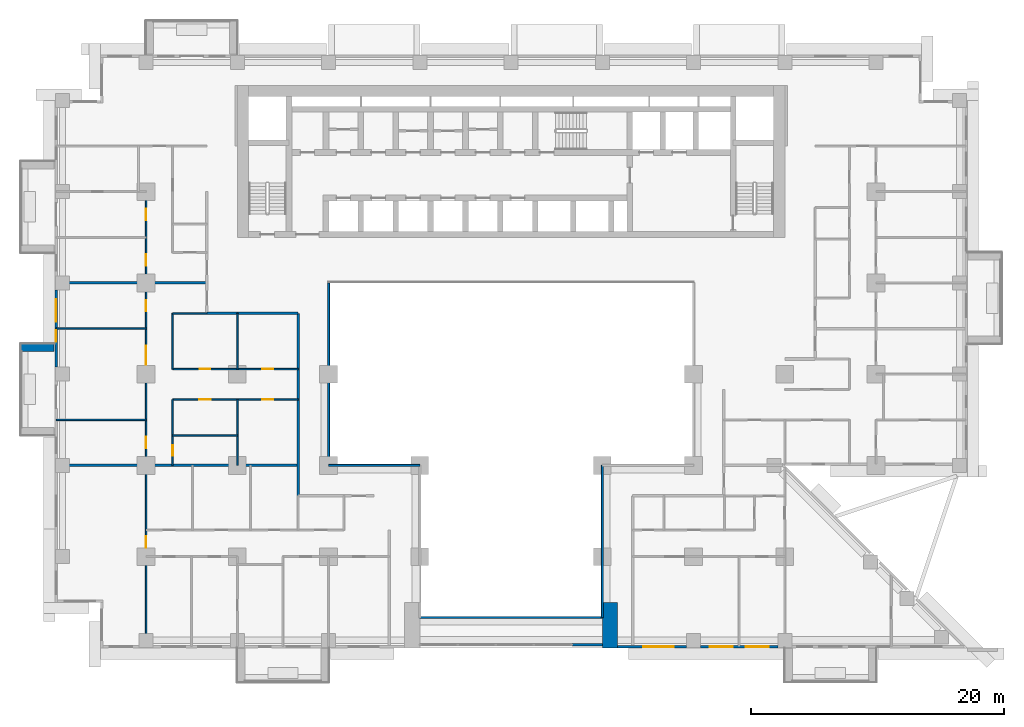
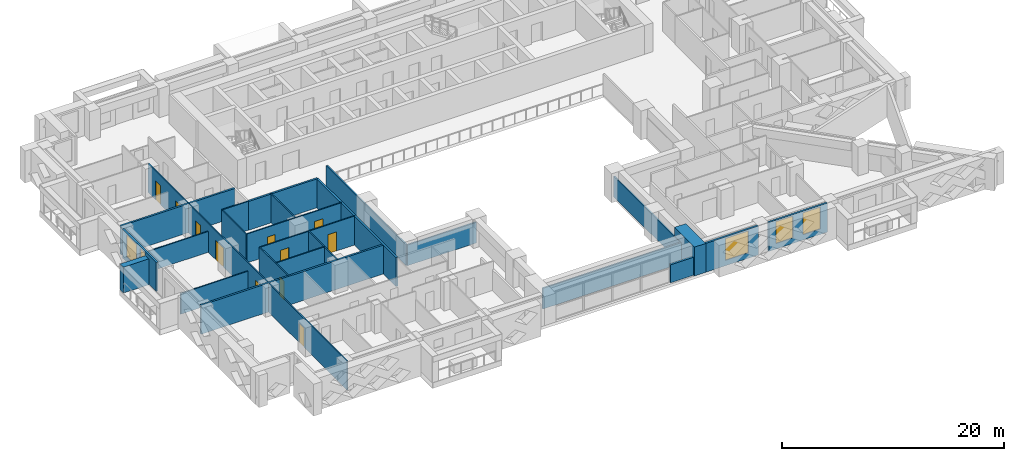
# One storey, part 7 of 17: 25 walls, 11 doors, 5 windows, 16 openings.
"""IFC4 building model written with IfcOpenShell, lengths in metres."""

from ifc_helpers import new_model, si_unit, direction, frame, frame_2d, origin, place, context, subcontext, project, spatial, rectangle, extrude, material, layer, layer_set, type_object, element, fill, save


model = new_model("IFC4")

# Units and contexts
model_context = context("Model", 3, precision=1e-05, world=origin(), true_north=direction((0.0, 1.0)))
body_context = subcontext(model_context, "Body", "Model", "MODEL_VIEW")
ifc_project = project(units=[si_unit("LENGTHUNIT", "METRE"), si_unit("AREAUNIT", "SQUARE_METRE"), si_unit("VOLUMEUNIT", "CUBIC_METRE"), si_unit("PLANEANGLEUNIT", "RADIAN"), si_unit("MASSUNIT", "GRAM", prefix="KILO")], contexts=[model_context])

# Site, building, storey
site_placement = place(None, origin())
site = spatial("IfcSite", under=ifc_project, at=site_placement, CompositionType="ELEMENT")
building_placement = place(site_placement, origin())
building = spatial("IfcBuilding", under=site, at=building_placement, Name="Saffron Iwan Residences", CompositionType="ELEMENT")
storey_placement = place(building_placement, frame((0.0, 0.0, 34.0)))
storey = spatial("IfcBuildingStorey", under=building, at=storey_placement, Name="L07", CompositionType="ELEMENT", Elevation=34.0)

# Walls
ifc_material_1 = material(Name="Fire-rated glazing", Category="glass")
ifc_layer_1 = layer(ifc_material_1, 0.14990234375)
ifc_layer_set_1 = layer_set([ifc_layer_1], Name="Fire-rated glazing")
wall_type_1 = type_object("IfcWallType", Name="Atrium glazed screen 150", PredefinedType="SOLIDWALL", material=ifc_layer_set_1)
wall_1_placement = place(storey_placement, frame((43.199951171875, 36.0, 0.0), z_axis=(0.0, 0.0, 1.0), x_axis=(1.0, 0.0, 0.0)))
element("IfcWall", 1, at=wall_1_placement, inside=storey, type_object=wall_type_1, Name="W-L07-SCREEN-h36-43.2", PredefinedType="SOLIDWALL", context=body_context, shape_type="SweptSolid", body=[
    extrude(rectangle(XDim=14.400146484375, YDim=0.14990234375, at=frame_2d((7.2001953125, 0.0))), origin(), (0.0, 0.0, 1.0), 2.280029296875),
])
wall_2_placement = place(storey_placement, frame((36.0, 48.0, 0.0), z_axis=(0.0, 0.0, 1.0), x_axis=(1.0, 0.0, 0.0)))
element("IfcWall", 2, at=wall_2_placement, inside=storey, type_object=wall_type_1, Name="W-L07-SCREEN-h48-36", PredefinedType="SOLIDWALL", context=body_context, shape_type="SweptSolid", body=[
    extrude(rectangle(XDim=7.199951171875, YDim=0.14990234375, at=frame_2d((3.60009765625, 0.0))), origin(), (0.0, 0.0, 1.0), 2.280029296875),
])
wall_3_placement = place(storey_placement, frame((36.0, 48.0, 0.0), z_axis=(0.0, 0.0, 1.0), x_axis=(0.0, 1.0, 0.0)))
element("IfcWall", 3, at=wall_3_placement, inside=storey, type_object=wall_type_1, Name="W-L07-SCREEN-v36-48", PredefinedType="SOLIDWALL", context=body_context, shape_type="SweptSolid", body=[
    extrude(rectangle(XDim=14.39990234375, YDim=0.14990234375, at=frame_2d((7.199951171875, 0.0))), origin(), (0.0, 0.0, 1.0), 2.280029296875),
])
wall_4_placement = place(storey_placement, frame((57.60009765625, 36.0, 0.0), z_axis=(0.0, 0.0, 1.0), x_axis=(0.0, 1.0, 0.0)))
element("IfcWall", 4, at=wall_4_placement, inside=storey, type_object=wall_type_1, Name="W-L07-SCREEN-v57.6-36", PredefinedType="SOLIDWALL", context=body_context, shape_type="SweptSolid", body=[
    extrude(rectangle(XDim=12.0, YDim=0.14990234375, at=frame_2d((6.0, 0.0))), origin(), (0.0, 0.0, 1.0), 2.280029296875),
])
ifc_material_2 = material(Name="Concrete C50/60 white painted", Category="concrete")
ifc_layer_2 = layer(ifc_material_2, 0.60009765625)
ifc_layer_set_2 = layer_set([ifc_layer_2], Name="Concrete C50/60 white painted")
wall_type_2 = type_object("IfcWallType", Name="BALCONY FIN 600", PredefinedType="SOLIDWALL", material=ifc_layer_set_2)
wall_5_placement = place(storey_placement, frame((14.35009765625, 57.300048828125, 0.0), z_axis=(0.0, 0.0, 1.0), x_axis=(-1.0, 0.0, 0.0)))
element("IfcWall", 5, at=wall_5_placement, inside=storey, type_object=wall_type_2, Name="Balcony fin L07 F8-1a", PredefinedType="SOLIDWALL", context=body_context, shape_type="SweptSolid", body=[
    extrude(rectangle(XDim=2.650146484375, YDim=0.60009765625, at=frame_2d((1.3251953125, 0.0))), origin(), (0.0, 0.0, 1.0), 2.85009765625),
])

# Wall, openings, windows
ifc_material_3 = material(Name="Concrete C40/50", Category="concrete")
ifc_layer_3 = layer(ifc_material_3, 0.199951171875)
ifc_layer_set_3 = layer_set([ifc_layer_3], Name="Concrete C40/50")
wall_type_3 = type_object("IfcWallType", Name="EXTERNAL WALL 200", PredefinedType="SOLIDWALL", material=ifc_layer_set_3)
wall_6_placement = place(storey_placement, frame((14.5, 61.85009765625, 0.0), z_axis=(0.0, 0.0, 1.0), x_axis=(0.0, -1.0, 0.0)))
wall_6 = element("IfcWall", 6, at=wall_6_placement, inside=storey, type_object=wall_type_3, Name="External wall L07 F8.2", PredefinedType="SOLIDWALL", context=body_context, shape_type="SweptSolid", body=[
    extrude(rectangle(XDim=6.10009765625, YDim=0.199951171875, at=frame_2d((3.050048828125, 0.0))), origin(), (0.0, 0.0, 1.0), 3.179931640625),
])
opening_1_placement = place(wall_6_placement, frame((3.199951171875, 0.0, 0.60009765625)))
opening_1 = element("IfcOpeningElement", 7, at=opening_1_placement, cuts=wall_6, Name="Opening W10", PredefinedType="OPENING", context=body_context, shape_type="SweptSolid", body=[
    extrude(rectangle(XDim=0.89990234375, YDim=2.39990234375, at=frame_2d((0.449951171875, 1.199951171875))), frame((0.0, 0.10986328125, 0.0), z_axis=(0.0, -1.0, 0.0), x_axis=(1.0, 0.0, 0.0)), (0.0, 0.0, 1.0), 0.219970703125),
])
opening_2_placement = place(wall_6_placement, frame((0.72509765625, 0.0, 0.60009765625)))
opening_2 = element("IfcOpeningElement", 8, at=opening_2_placement, cuts=wall_6, Name="Opening W8", PredefinedType="OPENING", context=body_context, shape_type="SweptSolid", body=[
    extrude(rectangle(XDim=1.800048828125, YDim=2.39990234375, at=frame_2d((0.89990234375, 1.199951171875))), frame((0.0, 0.10986328125, 0.0), z_axis=(0.0, -1.0, 0.0), x_axis=(1.0, 0.0, 0.0)), (0.0, 0.0, 1.0), 0.219970703125),
])
ifc_material_4 = material(Name="Clear glass, laminated double glazed", Category="glass")
window_type_1 = type_object("IfcWindowType", Name="WINDOW 1800 x 2400", PartitioningType="DOUBLE_PANEL_VERTICAL", PredefinedType="WINDOW", material=ifc_material_4)
window_1_placement = place(opening_2_placement, origin())
window_1 = element("IfcWindow", 9, at=window_1_placement, inside=storey, type_object=window_type_1, Name="Window L07 F8.1", OverallHeight=2.39990234375, OverallWidth=1.800048828125, PartitioningType="DOUBLE_PANEL_VERTICAL", PredefinedType="WINDOW", context=body_context, shape_type="SweptSolid", body=[
    extrude(rectangle(XDim=1.800048828125, YDim=2.39990234375, at=frame_2d((0.89990234375, 1.199951171875))), frame((0.0, 0.030029296875, 0.0), z_axis=(0.0, -1.0, 0.0), x_axis=(1.0, 0.0, 0.0)), (0.0, 0.0, 1.0), 0.06005859375),
])
fill(opening_2, window_1)
window_type_2 = type_object("IfcWindowType", Name="WINDOW 900 x 2400", PartitioningType="SINGLE_PANEL", PredefinedType="WINDOW", material=ifc_material_4)
window_2_placement = place(opening_1_placement, origin())
window_2 = element("IfcWindow", 10, at=window_2_placement, inside=storey, type_object=window_type_2, Name="Window L07 F8.0", OverallHeight=2.39990234375, OverallWidth=0.89990234375, PartitioningType="SINGLE_PANEL", PredefinedType="WINDOW", context=body_context, shape_type="SweptSolid", body=[
    extrude(rectangle(XDim=0.89990234375, YDim=2.39990234375, at=frame_2d((0.449951171875, 1.199951171875))), frame((0.0, 0.030029296875, 0.0), z_axis=(0.0, -1.0, 0.0), x_axis=(1.0, 0.0, 0.0)), (0.0, 0.0, 1.0), 0.06005859375),
])
fill(opening_1, window_2)

# Wall, opening, window
wall_7_placement = place(storey_placement, frame((58.800048828125, 33.699951171875, 0.0), z_axis=(0.0, 0.0, 1.0), x_axis=(1.0, 0.0, 0.0)))
wall_7 = element("IfcWall", 11, at=wall_7_placement, inside=storey, type_object=wall_type_3, Name="External wall L07 F11.4", PredefinedType="SOLIDWALL", context=body_context, shape_type="SweptSolid", body=[
    extrude(rectangle(XDim=5.449951171875, YDim=0.199951171875, at=frame_2d((2.72509765625, 0.0))), origin(), (0.0, 0.0, 1.0), 3.179931640625),
])
opening_3_placement = place(wall_7_placement, frame((2.02490234375, 0.0, 0.60009765625)))
opening_3 = element("IfcOpeningElement", 12, at=opening_3_placement, cuts=wall_7, Name="Opening W1", PredefinedType="OPENING", context=body_context, shape_type="SweptSolid", body=[
    extrude(rectangle(XDim=2.39990234375, YDim=2.39990234375, at=frame_2d((1.199951171875, 1.199951171875))), frame((0.0, 0.10986328125, 0.0), z_axis=(0.0, -1.0, 0.0), x_axis=(1.0, 0.0, 0.0)), (0.0, 0.0, 1.0), 0.219970703125),
])
window_type_3 = type_object("IfcWindowType", Name="WINDOW 2400 x 2400", PartitioningType="DOUBLE_PANEL_VERTICAL", PredefinedType="WINDOW", material=ifc_material_4)
window_3_placement = place(opening_3_placement, origin())
window_3 = element("IfcWindow", 13, at=window_3_placement, inside=storey, type_object=window_type_3, Name="Window L07 F11.0", OverallHeight=2.39990234375, OverallWidth=2.39990234375, PartitioningType="DOUBLE_PANEL_VERTICAL", PredefinedType="WINDOW", context=body_context, shape_type="SweptSolid", body=[
    extrude(rectangle(XDim=2.39990234375, YDim=2.39990234375, at=frame_2d((1.199951171875, 1.199951171875))), frame((0.0, 0.030029296875, 0.0), z_axis=(0.0, -1.0, 0.0), x_axis=(1.0, 0.0, 0.0)), (0.0, 0.0, 1.0), 0.06005859375),
])
fill(opening_3, window_3)

# Wall, openings, windows
wall_8_placement = place(storey_placement, frame((65.35009765625, 33.699951171875, 0.0), z_axis=(0.0, 0.0, 1.0), x_axis=(1.0, 0.0, 0.0)))
wall_8 = element("IfcWall", 14, at=wall_8_placement, inside=storey, type_object=wall_type_3, Name="External wall L07 F11.5", PredefinedType="SOLIDWALL", context=body_context, shape_type="SweptSolid", body=[
    extrude(rectangle(XDim=6.099853515625, YDim=0.199951171875, at=frame_2d((3.0498046875, 0.0))), origin(), (0.0, 0.0, 1.0), 3.179931640625),
])
opening_4_placement = place(wall_8_placement, frame((3.574951171875, 0.0, 0.60009765625)))
opening_4 = element("IfcOpeningElement", 15, at=opening_4_placement, cuts=wall_8, Name="Opening W8", PredefinedType="OPENING", context=body_context, shape_type="SweptSolid", body=[
    extrude(rectangle(XDim=1.800048828125, YDim=2.39990234375, at=frame_2d((0.89990234375, 1.199951171875))), frame((0.0, 0.10986328125, 0.0), z_axis=(0.0, -1.0, 0.0), x_axis=(1.0, 0.0, 0.0)), (0.0, 0.0, 1.0), 0.219970703125),
])
opening_5_placement = place(wall_8_placement, frame((0.72509765625, 0.0, 0.60009765625)))
opening_5 = element("IfcOpeningElement", 16, at=opening_5_placement, cuts=wall_8, Name="Opening W8", PredefinedType="OPENING", context=body_context, shape_type="SweptSolid", body=[
    extrude(rectangle(XDim=1.800048828125, YDim=2.39990234375, at=frame_2d((0.89990234375, 1.199951171875))), frame((0.0, 0.10986328125, 0.0), z_axis=(0.0, -1.0, 0.0), x_axis=(1.0, 0.0, 0.0)), (0.0, 0.0, 1.0), 0.219970703125),
])
window_4_placement = place(opening_4_placement, origin())
window_4 = element("IfcWindow", 17, at=window_4_placement, inside=storey, type_object=window_type_1, Name="Window L07 F11.0", OverallHeight=2.39990234375, OverallWidth=1.800048828125, PartitioningType="DOUBLE_PANEL_VERTICAL", PredefinedType="WINDOW", context=body_context, shape_type="SweptSolid", body=[
    extrude(rectangle(XDim=1.800048828125, YDim=2.39990234375, at=frame_2d((0.89990234375, 1.199951171875))), frame((0.0, 0.030029296875, 0.0), z_axis=(0.0, -1.0, 0.0), x_axis=(1.0, 0.0, 0.0)), (0.0, 0.0, 1.0), 0.06005859375),
])
fill(opening_4, window_4)
window_5_placement = place(opening_5_placement, origin())
window_5 = element("IfcWindow", 18, at=window_5_placement, inside=storey, type_object=window_type_1, Name="Window L07 F11.1", OverallHeight=2.39990234375, OverallWidth=1.800048828125, PartitioningType="DOUBLE_PANEL_VERTICAL", PredefinedType="WINDOW", context=body_context, shape_type="SweptSolid", body=[
    extrude(rectangle(XDim=1.800048828125, YDim=2.39990234375, at=frame_2d((0.89990234375, 1.199951171875))), frame((0.0, 0.030029296875, 0.0), z_axis=(0.0, -1.0, 0.0), x_axis=(1.0, 0.0, 0.0)), (0.0, 0.0, 1.0), 0.06005859375),
])
fill(opening_5, window_5)

# Walls
wall_9_placement = place(storey_placement, frame((55.199951171875, 33.85009765625, 0.0), z_axis=(0.0, 0.0, 1.0), x_axis=(1.0, 0.0, 0.0)))
element("IfcWall", 19, at=wall_9_placement, inside=storey, type_object=wall_type_3, Name="External wall infill CWB-L07-0", PredefinedType="SOLIDWALL", context=body_context, shape_type="SweptSolid", body=[
    extrude(rectangle(XDim=2.400146484375, YDim=0.199951171875, at=frame_2d((1.2001953125, 0.0))), origin(), (0.0, 0.0, 1.0), 1.97998046875),
])
ifc_material_5 = material(Name="Fire-rated gypsum board wall")
ifc_layer_4 = layer(ifc_material_5, 0.199951171875)
ifc_layer_set_4 = layer_set([ifc_layer_4], Name="Fire-rated gypsum board wall")
wall_type_4 = type_object("IfcWallType", Name="Flat demising wall 200", PredefinedType="SOLIDWALL", material=ifc_layer_set_4)
wall_10_placement = place(storey_placement, frame((14.52490234375, 48.0, 0.0), z_axis=(0.0, 0.0, 1.0), x_axis=(1.0, 0.0, 0.0)))
element("IfcWall", 20, at=wall_10_placement, inside=storey, type_object=wall_type_4, Name="W-L07-DEMISE-h48-14.525", PredefinedType="SOLIDWALL", context=body_context, shape_type="SweptSolid", body=[
    extrude(rectangle(XDim=19.0751953125, YDim=0.199951171875, at=frame_2d((9.53759765625, 0.0))), origin(), (0.0, 0.0, 1.0), 3.179931640625),
])
wall_11_placement = place(storey_placement, frame((14.52490234375, 62.39990234375, 0.0), z_axis=(0.0, 0.0, 1.0), x_axis=(1.0, 0.0, 0.0)))
element("IfcWall", 21, at=wall_11_placement, inside=storey, type_object=wall_type_4, Name="W-L07-DEMISE-h62.4-14.525", PredefinedType="SOLIDWALL", context=body_context, shape_type="SweptSolid", body=[
    extrude(rectangle(XDim=11.875, YDim=0.199951171875, at=frame_2d((5.9375, 0.0))), origin(), (0.0, 0.0, 1.0), 3.179931640625),
])
ifc_material_6 = material(Name="Gypsum board partition")
ifc_layer_5 = layer(ifc_material_6, 0.1201171875)
ifc_layer_set_5 = layer_set([ifc_layer_5], Name="Gypsum board partition")
wall_type_5 = type_object("IfcWallType", Name="Flat partition 120", PredefinedType="PARTITIONING", material=ifc_layer_set_5)
wall_12_placement = place(storey_placement, frame((23.699951171875, 50.35009765625, 0.0), z_axis=(0.0, 0.0, 1.0), x_axis=(1.0, 0.0, 0.0)))
element("IfcWall", 22, at=wall_12_placement, inside=storey, type_object=wall_type_5, Name="W-L07-PART-h50.35-23.7", PredefinedType="PARTITIONING", context=body_context, shape_type="SweptSolid", body=[
    extrude(rectangle(XDim=5.10009765625, YDim=0.1201171875, at=frame_2d((2.550048828125, 0.0))), origin(), (0.0, 0.0, 1.0), 3.179931640625),
])
wall_13_placement = place(storey_placement, frame((14.52490234375, 51.60009765625, 0.0), z_axis=(0.0, 0.0, 1.0), x_axis=(1.0, 0.0, 0.0)))
element("IfcWall", 23, at=wall_13_placement, inside=storey, type_object=wall_type_5, Name="W-L07-PART-h51.6-14.525", PredefinedType="PARTITIONING", context=body_context, shape_type="SweptSolid", body=[
    extrude(rectangle(XDim=7.0751953125, YDim=0.1201171875, at=frame_2d((3.53759765625, 0.0))), origin(), (0.0, 0.0, 1.0), 2.280029296875),
])

# Wall, openings, doors
wall_14_placement = place(storey_placement, frame((23.699951171875, 53.199951171875, 0.0), z_axis=(0.0, 0.0, 1.0), x_axis=(1.0, 0.0, 0.0)))
wall_14 = element("IfcWall", 24, at=wall_14_placement, inside=storey, type_object=wall_type_5, Name="W-L07-PART-h53.2-23.7", PredefinedType="PARTITIONING", context=body_context, shape_type="SweptSolid", body=[
    extrude(rectangle(XDim=9.900146484375, YDim=0.1201171875, at=frame_2d((4.9501953125, 0.0))), origin(), (0.0, 0.0, 1.0), 3.179931640625),
])
opening_6_placement = place(wall_14_placement, frame((2.10009765625, 0.0, 0.0)))
opening_6 = element("IfcOpeningElement", 25, at=opening_6_placement, cuts=wall_14, Name="Opening FD2", PredefinedType="OPENING", context=body_context, shape_type="SweptSolid", body=[
    extrude(rectangle(XDim=0.89990234375, YDim=2.10009765625, at=frame_2d((0.449951171875, 1.050048828125))), frame((0.0, 0.070068359375, 0.0), z_axis=(0.0, -1.0, 0.0), x_axis=(1.0, 0.0, 0.0)), (0.0, 0.0, 1.0), 0.14013671875),
])
opening_7_placement = place(wall_14_placement, frame((7.050048828125, 0.0, 0.0)))
opening_7 = element("IfcOpeningElement", 26, at=opening_7_placement, cuts=wall_14, Name="Opening FD2", PredefinedType="OPENING", context=body_context, shape_type="SweptSolid", body=[
    extrude(rectangle(XDim=0.89990234375, YDim=2.10009765625, at=frame_2d((0.449951171875, 1.050048828125))), frame((0.0, 0.070068359375, 0.0), z_axis=(0.0, -1.0, 0.0), x_axis=(1.0, 0.0, 0.0)), (0.0, 0.0, 1.0), 0.14013671875),
])
ifc_material_7 = material(Name="Timber door", Category="wood")
door_type_1 = type_object("IfcDoorType", Name="Flat door 900", OperationType="NOTDEFINED", PredefinedType="DOOR", material=ifc_material_7)
door_1_placement = place(opening_6_placement, origin())
door_1 = element("IfcDoor", 27, at=door_1_placement, inside=storey, type_object=door_type_1, Name="Door L07-017", OperationType="SINGLE_SWING_LEFT", OverallHeight=2.10009765625, OverallWidth=0.89990234375, PredefinedType="DOOR", context=body_context, shape_type="SweptSolid", body=[
    extrude(rectangle(XDim=0.89990234375, YDim=2.10009765625, at=frame_2d((0.449951171875, 1.050048828125))), frame((0.0, 0.02490234375, 0.0), z_axis=(0.0, -1.0, 0.0), x_axis=(1.0, 0.0, 0.0)), (0.0, 0.0, 1.0), 0.050048828125),
])
fill(opening_6, door_1)
door_2_placement = place(opening_7_placement, origin())
door_2 = element("IfcDoor", 28, at=door_2_placement, inside=storey, type_object=door_type_1, Name="Door L07-019", OperationType="SINGLE_SWING_LEFT", OverallHeight=2.10009765625, OverallWidth=0.89990234375, PredefinedType="DOOR", context=body_context, shape_type="SweptSolid", body=[
    extrude(rectangle(XDim=0.89990234375, YDim=2.10009765625, at=frame_2d((0.449951171875, 1.050048828125))), frame((0.0, 0.02490234375, 0.0), z_axis=(0.0, -1.0, 0.0), x_axis=(1.0, 0.0, 0.0)), (0.0, 0.0, 1.0), 0.050048828125),
])
fill(opening_7, door_2)

wall_15_placement = place(storey_placement, frame((23.699951171875, 55.60009765625, 0.0), z_axis=(0.0, 0.0, 1.0), x_axis=(1.0, 0.0, 0.0)))
wall_15 = element("IfcWall", 29, at=wall_15_placement, inside=storey, type_object=wall_type_5, Name="W-L07-PART-h55.6-23.7", PredefinedType="PARTITIONING", context=body_context, shape_type="SweptSolid", body=[
    extrude(rectangle(XDim=9.900146484375, YDim=0.1201171875, at=frame_2d((4.9501953125, 0.0))), origin(), (0.0, 0.0, 1.0), 3.179931640625),
])
opening_8_placement = place(wall_15_placement, frame((2.14990234375, 0.0, 0.0)))
opening_8 = element("IfcOpeningElement", 30, at=opening_8_placement, cuts=wall_15, Name="Opening FD3", PredefinedType="OPENING", context=body_context, shape_type="SweptSolid", body=[
    extrude(rectangle(XDim=0.800048828125, YDim=2.10009765625, at=frame_2d((0.39990234375, 1.050048828125))), frame((0.0, 0.070068359375, 0.0), z_axis=(0.0, -1.0, 0.0), x_axis=(1.0, 0.0, 0.0)), (0.0, 0.0, 1.0), 0.14013671875),
])
opening_9_placement = place(wall_15_placement, frame((7.050048828125, 0.0, 0.0)))
opening_9 = element("IfcOpeningElement", 31, at=opening_9_placement, cuts=wall_15, Name="Opening FD2", PredefinedType="OPENING", context=body_context, shape_type="SweptSolid", body=[
    extrude(rectangle(XDim=0.89990234375, YDim=2.10009765625, at=frame_2d((0.449951171875, 1.050048828125))), frame((0.0, 0.070068359375, 0.0), z_axis=(0.0, -1.0, 0.0), x_axis=(1.0, 0.0, 0.0)), (0.0, 0.0, 1.0), 0.14013671875),
])
door_type_2 = type_object("IfcDoorType", Name="Bathroom door 800", OperationType="NOTDEFINED", PredefinedType="DOOR", material=ifc_material_7)
door_3_placement = place(opening_8_placement, origin())
door_3 = element("IfcDoor", 32, at=door_3_placement, inside=storey, type_object=door_type_2, Name="Door L07-018", OperationType="SINGLE_SWING_RIGHT", OverallHeight=2.10009765625, OverallWidth=0.800048828125, PredefinedType="DOOR", context=body_context, shape_type="SweptSolid", body=[
    extrude(rectangle(XDim=0.800048828125, YDim=2.10009765625, at=frame_2d((0.39990234375, 1.050048828125))), frame((0.0, 0.02490234375, 0.0), z_axis=(0.0, -1.0, 0.0), x_axis=(1.0, 0.0, 0.0)), (0.0, 0.0, 1.0), 0.050048828125),
])
fill(opening_8, door_3)
door_4_placement = place(opening_9_placement, origin())
door_4 = element("IfcDoor", 33, at=door_4_placement, inside=storey, type_object=door_type_1, Name="Door L07-020", OperationType="SINGLE_SWING_LEFT", OverallHeight=2.10009765625, OverallWidth=0.89990234375, PredefinedType="DOOR", context=body_context, shape_type="SweptSolid", body=[
    extrude(rectangle(XDim=0.89990234375, YDim=2.10009765625, at=frame_2d((0.449951171875, 1.050048828125))), frame((0.0, 0.02490234375, 0.0), z_axis=(0.0, -1.0, 0.0), x_axis=(1.0, 0.0, 0.0)), (0.0, 0.0, 1.0), 0.050048828125),
])
fill(opening_9, door_4)

# Walls
wall_16_placement = place(storey_placement, frame((14.52490234375, 58.800048828125, 0.0), z_axis=(0.0, 0.0, 1.0), x_axis=(1.0, 0.0, 0.0)))
element("IfcWall", 34, at=wall_16_placement, inside=storey, type_object=wall_type_5, Name="W-L07-PART-h58.8-14.525", PredefinedType="PARTITIONING", context=body_context, shape_type="SweptSolid", body=[
    extrude(rectangle(XDim=7.0751953125, YDim=0.1201171875, at=frame_2d((3.53759765625, 0.0))), origin(), (0.0, 0.0, 1.0), 2.280029296875),
])
wall_17_placement = place(storey_placement, frame((23.699951171875, 60.0, 0.0), z_axis=(0.0, 0.0, 1.0), x_axis=(1.0, 0.0, 0.0)))
element("IfcWall", 35, at=wall_17_placement, inside=storey, type_object=wall_type_5, Name="W-L07-PART-h60-23.7", PredefinedType="PARTITIONING", context=body_context, shape_type="SweptSolid", body=[
    extrude(rectangle(XDim=2.699951171875, YDim=0.1201171875, at=frame_2d((1.35009765625, 0.0))), origin(), (0.0, 0.0, 1.0), 3.179931640625),
])

# Wall, openings, doors
wall_18_placement = place(storey_placement, frame((21.60009765625, 33.72509765625, 0.0), z_axis=(0.0, 0.0, 1.0), x_axis=(0.0, 1.0, 0.0)))
wall_18 = element("IfcWall", 36, at=wall_18_placement, inside=storey, type_object=wall_type_5, Name="W-L07-PART-v21.6-33.725", PredefinedType="PARTITIONING", context=body_context, shape_type="SweptSolid", body=[
    extrude(rectangle(XDim=35.875, YDim=0.1201171875, at=frame_2d((17.9375, 0.0))), origin(), (0.0, 0.0, 1.0), 3.179931640625),
])
opening_10_placement = place(wall_18_placement, frame((7.77490234375, 0.0, 0.0)))
opening_10 = element("IfcOpeningElement", 37, at=opening_10_placement, cuts=wall_18, Name="Opening FD2", PredefinedType="OPENING", context=body_context, shape_type="SweptSolid", body=[
    extrude(rectangle(XDim=0.89990234375, YDim=2.10009765625, at=frame_2d((0.449951171875, 1.050048828125))), frame((0.0, 0.070068359375, 0.0), z_axis=(0.0, -1.0, 0.0), x_axis=(1.0, 0.0, 0.0)), (0.0, 0.0, 1.0), 0.14013671875),
])
opening_11_placement = place(wall_18_placement, frame((15.625, 0.0, 0.0)))
opening_11 = element("IfcOpeningElement", 38, at=opening_11_placement, cuts=wall_18, Name="Opening FD2", PredefinedType="OPENING", context=body_context, shape_type="SweptSolid", body=[
    extrude(rectangle(XDim=0.89990234375, YDim=2.10009765625, at=frame_2d((0.449951171875, 1.050048828125))), frame((0.0, 0.070068359375, 0.0), z_axis=(0.0, -1.0, 0.0), x_axis=(1.0, 0.0, 0.0)), (0.0, 0.0, 1.0), 0.14013671875),
])
opening_12_placement = place(wall_18_placement, frame((22.22509765625, 0.0, 0.0)))
opening_12 = element("IfcOpeningElement", 39, at=opening_12_placement, cuts=wall_18, Name="Opening FD4", PredefinedType="OPENING", context=body_context, shape_type="SweptSolid", body=[
    extrude(rectangle(XDim=1.5, YDim=2.10009765625, at=frame_2d((0.75, 1.050048828125))), frame((0.0, 0.070068359375, 0.0), z_axis=(0.0, -1.0, 0.0), x_axis=(1.0, 0.0, 0.0)), (0.0, 0.0, 1.0), 0.14013671875),
])
opening_13_placement = place(wall_18_placement, frame((26.425048828125, 0.0, 0.0)))
opening_13 = element("IfcOpeningElement", 40, at=opening_13_placement, cuts=wall_18, Name="Opening FD2", PredefinedType="OPENING", context=body_context, shape_type="SweptSolid", body=[
    extrude(rectangle(XDim=0.89990234375, YDim=2.10009765625, at=frame_2d((0.449951171875, 1.050048828125))), frame((0.0, 0.070068359375, 0.0), z_axis=(0.0, -1.0, 0.0), x_axis=(1.0, 0.0, 0.0)), (0.0, 0.0, 1.0), 0.14013671875),
])
opening_14_placement = place(wall_18_placement, frame((30.02490234375, 0.0, 0.0)))
opening_14 = element("IfcOpeningElement", 41, at=opening_14_placement, cuts=wall_18, Name="Opening FD2", PredefinedType="OPENING", context=body_context, shape_type="SweptSolid", body=[
    extrude(rectangle(XDim=0.89990234375, YDim=2.10009765625, at=frame_2d((0.449951171875, 1.050048828125))), frame((0.0, 0.070068359375, 0.0), z_axis=(0.0, -1.0, 0.0), x_axis=(1.0, 0.0, 0.0)), (0.0, 0.0, 1.0), 0.14013671875),
])
opening_15_placement = place(wall_18_placement, frame((33.625, 0.0, 0.0)))
opening_15 = element("IfcOpeningElement", 42, at=opening_15_placement, cuts=wall_18, Name="Opening FD2", PredefinedType="OPENING", context=body_context, shape_type="SweptSolid", body=[
    extrude(rectangle(XDim=0.89990234375, YDim=2.10009765625, at=frame_2d((0.449951171875, 1.050048828125))), frame((0.0, 0.070068359375, 0.0), z_axis=(0.0, -1.0, 0.0), x_axis=(1.0, 0.0, 0.0)), (0.0, 0.0, 1.0), 0.14013671875),
])
door_type_3 = type_object("IfcDoorType", Name="Double door 1500", OperationType="NOTDEFINED", PredefinedType="DOOR", material=ifc_material_7)
door_5_placement = place(opening_12_placement, origin())
door_5 = element("IfcDoor", 43, at=door_5_placement, inside=storey, type_object=door_type_3, Name="Door L07-014", OperationType="SINGLE_SWING_RIGHT", OverallHeight=2.10009765625, OverallWidth=1.5, PredefinedType="DOOR", context=body_context, shape_type="SweptSolid", body=[
    extrude(rectangle(XDim=1.5, YDim=2.10009765625, at=frame_2d((0.75, 1.050048828125))), frame((0.0, 0.02490234375, 0.0), z_axis=(0.0, -1.0, 0.0), x_axis=(1.0, 0.0, 0.0)), (0.0, 0.0, 1.0), 0.050048828125),
])
fill(opening_12, door_5)
door_6_placement = place(opening_10_placement, origin())
door_6 = element("IfcDoor", 44, at=door_6_placement, inside=storey, type_object=door_type_1, Name="Door L07-002", OperationType="SINGLE_SWING_RIGHT", OverallHeight=2.10009765625, OverallWidth=0.89990234375, PredefinedType="DOOR", context=body_context, shape_type="SweptSolid", body=[
    extrude(rectangle(XDim=0.89990234375, YDim=2.10009765625, at=frame_2d((0.449951171875, 1.050048828125))), frame((0.0, 0.02490234375, 0.0), z_axis=(0.0, -1.0, 0.0), x_axis=(1.0, 0.0, 0.0)), (0.0, 0.0, 1.0), 0.050048828125),
])
fill(opening_10, door_6)
door_7_placement = place(opening_11_placement, origin())
door_7 = element("IfcDoor", 45, at=door_7_placement, inside=storey, type_object=door_type_1, Name="Door L07-013", OperationType="SINGLE_SWING_LEFT", OverallHeight=2.10009765625, OverallWidth=0.89990234375, PredefinedType="DOOR", context=body_context, shape_type="SweptSolid", body=[
    extrude(rectangle(XDim=0.89990234375, YDim=2.10009765625, at=frame_2d((0.449951171875, 1.050048828125))), frame((0.0, 0.02490234375, 0.0), z_axis=(0.0, -1.0, 0.0), x_axis=(1.0, 0.0, 0.0)), (0.0, 0.0, 1.0), 0.050048828125),
])
fill(opening_11, door_7)
door_8_placement = place(opening_13_placement, origin())
door_8 = element("IfcDoor", 46, at=door_8_placement, inside=storey, type_object=door_type_1, Name="Door L07-015", OperationType="SINGLE_SWING_RIGHT", OverallHeight=2.10009765625, OverallWidth=0.89990234375, PredefinedType="DOOR", context=body_context, shape_type="SweptSolid", body=[
    extrude(rectangle(XDim=0.89990234375, YDim=2.10009765625, at=frame_2d((0.449951171875, 1.050048828125))), frame((0.0, 0.02490234375, 0.0), z_axis=(0.0, -1.0, 0.0), x_axis=(1.0, 0.0, 0.0)), (0.0, 0.0, 1.0), 0.050048828125),
])
fill(opening_13, door_8)
door_9_placement = place(opening_14_placement, origin())
door_9 = element("IfcDoor", 47, at=door_9_placement, inside=storey, type_object=door_type_1, Name="Door L07-029", OperationType="SINGLE_SWING_LEFT", OverallHeight=2.10009765625, OverallWidth=0.89990234375, PredefinedType="DOOR", context=body_context, shape_type="SweptSolid", body=[
    extrude(rectangle(XDim=0.89990234375, YDim=2.10009765625, at=frame_2d((0.449951171875, 1.050048828125))), frame((0.0, 0.02490234375, 0.0), z_axis=(0.0, -1.0, 0.0), x_axis=(1.0, 0.0, 0.0)), (0.0, 0.0, 1.0), 0.050048828125),
])
fill(opening_14, door_9)
door_10_placement = place(opening_15_placement, origin())
door_10 = element("IfcDoor", 48, at=door_10_placement, inside=storey, type_object=door_type_1, Name="Door L07-030", OperationType="SINGLE_SWING_RIGHT", OverallHeight=2.10009765625, OverallWidth=0.89990234375, PredefinedType="DOOR", context=body_context, shape_type="SweptSolid", body=[
    extrude(rectangle(XDim=0.89990234375, YDim=2.10009765625, at=frame_2d((0.449951171875, 1.050048828125))), frame((0.0, 0.02490234375, 0.0), z_axis=(0.0, -1.0, 0.0), x_axis=(1.0, 0.0, 0.0)), (0.0, 0.0, 1.0), 0.050048828125),
])
fill(opening_15, door_10)

# Wall, opening, door
wall_19_placement = place(storey_placement, frame((23.699951171875, 48.0, 0.0), z_axis=(0.0, 0.0, 1.0), x_axis=(0.0, 1.0, 0.0)))
wall_19 = element("IfcWall", 49, at=wall_19_placement, inside=storey, type_object=wall_type_5, Name="W-L07-PART-v23.7-48", PredefinedType="PARTITIONING", context=body_context, shape_type="SweptSolid", body=[
    extrude(rectangle(XDim=5.199951171875, YDim=0.1201171875, at=frame_2d((2.60009765625, 0.0))), origin(), (0.0, 0.0, 1.0), 3.179931640625),
])
opening_16_placement = place(wall_19_placement, frame((0.77490234375, 0.0, 0.0)))
opening_16 = element("IfcOpeningElement", 50, at=opening_16_placement, cuts=wall_19, Name="Opening FD3", PredefinedType="OPENING", context=body_context, shape_type="SweptSolid", body=[
    extrude(rectangle(XDim=0.800048828125, YDim=2.10009765625, at=frame_2d((0.39990234375, 1.050048828125))), frame((0.0, 0.070068359375, 0.0), z_axis=(0.0, -1.0, 0.0), x_axis=(1.0, 0.0, 0.0)), (0.0, 0.0, 1.0), 0.14013671875),
])
door_11_placement = place(opening_16_placement, origin())
door_11 = element("IfcDoor", 51, at=door_11_placement, inside=storey, type_object=door_type_2, Name="Door L07-016", OperationType="SINGLE_SWING_LEFT", OverallHeight=2.10009765625, OverallWidth=0.800048828125, PredefinedType="DOOR", context=body_context, shape_type="SweptSolid", body=[
    extrude(rectangle(XDim=0.800048828125, YDim=2.10009765625, at=frame_2d((0.39990234375, 1.050048828125))), frame((0.0, 0.02490234375, 0.0), z_axis=(0.0, -1.0, 0.0), x_axis=(1.0, 0.0, 0.0)), (0.0, 0.0, 1.0), 0.050048828125),
])
fill(opening_16, door_11)

# Walls
wall_20_placement = place(storey_placement, frame((23.699951171875, 55.60009765625, 0.0), z_axis=(0.0, 0.0, 1.0), x_axis=(0.0, 1.0, 0.0)))
element("IfcWall", 52, at=wall_20_placement, inside=storey, type_object=wall_type_5, Name="W-L07-PART-v23.7-55.6", PredefinedType="PARTITIONING", context=body_context, shape_type="SweptSolid", body=[
    extrude(rectangle(XDim=4.39990234375, YDim=0.1201171875, at=frame_2d((2.199951171875, 0.0))), origin(), (0.0, 0.0, 1.0), 3.179931640625),
])
wall_21_placement = place(storey_placement, frame((28.800048828125, 48.0, 0.0), z_axis=(0.0, 0.0, 1.0), x_axis=(0.0, 1.0, 0.0)))
element("IfcWall", 53, at=wall_21_placement, inside=storey, type_object=wall_type_5, Name="W-L07-PART-v28.8-48", PredefinedType="PARTITIONING", context=body_context, shape_type="SweptSolid", body=[
    extrude(rectangle(XDim=5.199951171875, YDim=0.1201171875, at=frame_2d((2.60009765625, 0.0))), origin(), (0.0, 0.0, 1.0), 3.179931640625),
])
wall_22_placement = place(storey_placement, frame((28.800048828125, 55.60009765625, 0.0), z_axis=(0.0, 0.0, 1.0), x_axis=(0.0, 1.0, 0.0)))
element("IfcWall", 54, at=wall_22_placement, inside=storey, type_object=wall_type_5, Name="W-L07-PART-v28.8-55.6", PredefinedType="PARTITIONING", context=body_context, shape_type="SweptSolid", body=[
    extrude(rectangle(XDim=4.39990234375, YDim=0.1201171875, at=frame_2d((2.199951171875, 0.0))), origin(), (0.0, 0.0, 1.0), 3.179931640625),
])
ifc_layer_6 = layer(ifc_material_5, 0.199951171875)
ifc_layer_set_6 = layer_set([ifc_layer_6], Name="Fire-rated gypsum board wall")
wall_type_6 = type_object("IfcWallType", Name="Gallery wall 200", PredefinedType="SOLIDWALL", material=ifc_layer_set_6)
wall_23_placement = place(storey_placement, frame((26.39990234375, 60.0, 0.0), z_axis=(0.0, 0.0, 1.0), x_axis=(1.0, 0.0, 0.0)))
element("IfcWall", 55, at=wall_23_placement, inside=storey, type_object=wall_type_6, Name="W-L07-CORR-h60-26.4", PredefinedType="SOLIDWALL", context=body_context, shape_type="SweptSolid", body=[
    extrude(rectangle(XDim=7.2001953125, YDim=0.199951171875, at=frame_2d((3.60009765625, 0.0))), origin(), (0.0, 0.0, 1.0), 3.179931640625),
])
wall_24_placement = place(storey_placement, frame((33.60009765625, 45.60009765625, 0.0), z_axis=(0.0, 0.0, 1.0), x_axis=(0.0, 1.0, 0.0)))
element("IfcWall", 56, at=wall_24_placement, inside=storey, type_object=wall_type_6, Name="W-L07-CORR-v33.6-45.6", PredefinedType="SOLIDWALL", context=body_context, shape_type="SweptSolid", body=[
    extrude(rectangle(XDim=14.39990234375, YDim=0.199951171875, at=frame_2d((7.199951171875, 0.0))), origin(), (0.0, 0.0, 1.0), 3.179931640625),
])
ifc_material_8 = material(Name="Concrete C60/75", Category="concrete")
ifc_layer_7 = layer(ifc_material_8, 1.199951171875)
ifc_layer_set_7 = layer_set([ifc_layer_7], Name="Concrete C60/75")
wall_type_7 = type_object("IfcWallType", Name="WALL IWAN PIER 1200 C60/75 3180 HIGH", PredefinedType="SHEAR", material=ifc_layer_set_7)
wall_25_placement = place(storey_placement, frame((58.199951171875, 33.60009765625, 0.0), z_axis=(0.0, 0.0, 1.0), x_axis=(0.0, 1.0, 0.0)))
element("IfcWall", 57, at=wall_25_placement, inside=storey, type_object=wall_type_7, Name="IWAN PIER", PredefinedType="SHEAR", context=body_context, shape_type="SweptSolid", body=[
    extrude(rectangle(XDim=3.599853515625, YDim=1.199951171875, at=frame_2d((1.7998046875, 0.0))), origin(), (0.0, 0.0, 1.0), 3.179931640625),
])

save(model, "model.ifc")
